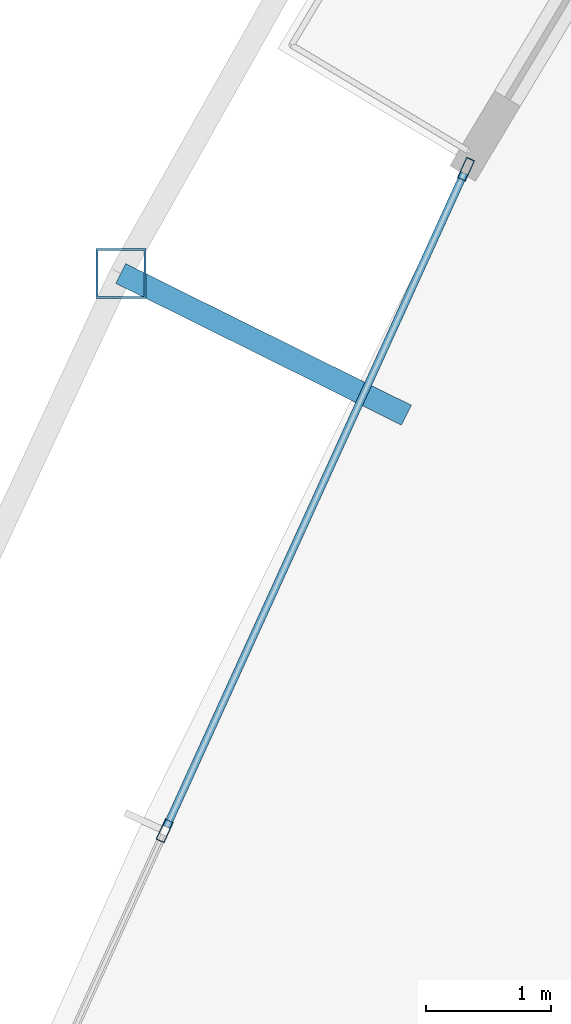
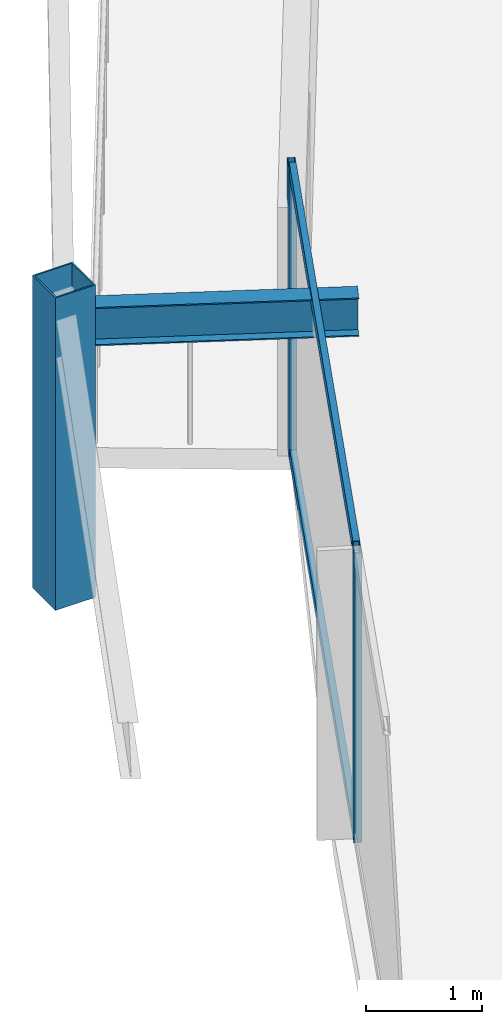
# One storey, part 9 of 31: 5 members, 1 beam, 1 element without a shape of its own.
"""IFC4 building model written with IfcOpenShell, lengths in metres."""

from ifc_helpers import new_model, si_unit, direction, frame, origin, origin_2d, place, context, subcontext, project, spatial, hollow_rectangle, i_section, extrude, material, layer, layer_set, material_profile, profile_set, type_object, element, aggregate, save


model = new_model("IFC4")

# Units and contexts
model_context = context("Model", 3, precision=1e-05, world=origin(), true_north=direction((0.0, 1.0)))
body_context = subcontext(model_context, "Body", "Model", "MODEL_VIEW")
ifc_project = project(units=[si_unit("LENGTHUNIT", "METRE"), si_unit("AREAUNIT", "SQUARE_METRE"), si_unit("VOLUMEUNIT", "CUBIC_METRE"), si_unit("PLANEANGLEUNIT", "RADIAN"), si_unit("MASSUNIT", "GRAM", prefix="KILO")], contexts=[model_context])

# Site, building, storey
site_placement = place(None, origin())
site = spatial("IfcSite", under=ifc_project, at=site_placement, CompositionType="ELEMENT")
building_placement = place(site_placement, origin())
building = spatial("IfcBuilding", under=site, at=building_placement, Name="Orvanel Arch Residences", CompositionType="ELEMENT")
storey_placement = place(building_placement, frame((0.0, 0.0, 106.699951171875)))
storey = spatial("IfcBuildingStorey", under=building, at=storey_placement, Name="L29", CompositionType="ELEMENT", Elevation=106.699951171875)

# Curtain wall, members
ifc_material_1 = material(Name="Bronze-anodised aluminium AA6063-T6", Category="aluminium")
ifc_layer = layer(ifc_material_1, 0.179931640625)
ifc_layer_set = layer_set([ifc_layer], Name="Bronze-anodised aluminium AA6063-T6")
curtain_wall_type = type_object("IfcCurtainWallType", Name="CW3-MID-SYS", PredefinedType="NOTDEFINED", material=ifc_layer_set)
curtain_wall_placement = place(storey_placement, origin())
curtain_wall = element("IfcCurtainWall", 1, at=curtain_wall_placement, inside=storey, type_object=curtain_wall_type, Name="L29 CW3-MID-SYS Unitised Curtain Wall", PredefinedType="NOTDEFINED")
ifc_material_profile_1 = material_profile(ifc_material_1, hollow_rectangle(XDim=0.070068359375, YDim=0.179931640625, WallThickness=0.00439453125, at=origin_2d()), Name="ALU180x70x4.5")
ifc_profile_set_1 = profile_set([ifc_material_profile_1], Name="Bronze-anodised aluminium AA6063-T6")
member_type_1 = type_object("IfcMemberType", Name="MUL-180x70", PredefinedType="MULLION", material=ifc_profile_set_1)
member_1_placement = place(storey_placement, frame((14.030517578125, 24.59521484375, 0.0), z_axis=(0.0, 0.0, 1.0), x_axis=(0.910112556864, -0.414361115258, 0.0)))
member_1 = element("IfcMember", 2, at=member_1_placement, type_object=member_type_1, Name="CW-S3 mullion 1", PredefinedType="MULLION", context=body_context, shape_type="SweptSolid", body=[
    extrude(hollow_rectangle(XDim=0.070068359375, YDim=0.179931640625, WallThickness=0.00439453125, at=origin_2d()), origin(), (0.0, 0.0, 1.0), 3.06005859375),
])
member_2_placement = place(storey_placement, frame((11.62158203125, 19.304443359375, 0.0), z_axis=(0.0, 0.0, 1.0), x_axis=(0.910112556864, -0.414361115258, 0.0)))
member_2 = element("IfcMember", 3, at=member_2_placement, type_object=member_type_1, Name="CW-S3 mullion 2", PredefinedType="MULLION", context=body_context, shape_type="SweptSolid", body=[
    extrude(hollow_rectangle(XDim=0.070068359375, YDim=0.179931640625, WallThickness=0.00439453125, at=origin_2d()), origin(), (0.0, 0.0, 1.0), 3.06005859375),
])

# Beam
ifc_material_2 = material(Name="Structural steel AS/NZS 3679.1 Grade 300 (300 MPa)", Category="steel")
ifc_material_profile_2 = material_profile(ifc_material_2, i_section(OverallWidth=0.177978515625, OverallDepth=0.406005859375, WebThickness=0.0078125, FlangeThickness=0.0126953125, at=origin_2d()), Name="410UB59.7")
ifc_profile_set_2 = profile_set([ifc_material_profile_2], Name="Structural steel AS/NZS 3679.1 Grade 300 (300 MPa)")
beam_type = type_object("IfcBeamType", Name="OB-410UB-EXT", PredefinedType="SPANDREL", material=ifc_profile_set_2)
beam_placement = place(storey_placement, frame((13.553955078125, 22.6279296875, 2.85693359375), z_axis=(-0.895820894643, 0.444415261575, 0.0), x_axis=(-0.444415261575, -0.895820894643, 0.0)))
element("IfcBeam", 4, at=beam_placement, inside=storey, type_object=beam_type, Name="L29 Outer Frame Radial Tie Beam 03", PredefinedType="SPANDREL", context=body_context, shape_type="SweptSolid", body=[
    extrude(i_section(OverallWidth=0.177978515625, OverallDepth=0.406005859375, WebThickness=0.0078125, FlangeThickness=0.0126953125, at=origin_2d()), origin(), (0.0, 0.0, 1.0), 2.549560546875),
])

# Member
ifc_material_3 = material(Name="Structural steel AS/NZS 1163 C450L0 (Grade 450)", Category="steel")
ifc_material_profile_3 = material_profile(ifc_material_3, hollow_rectangle(XDim=0.39990234375, YDim=0.39990234375, WallThickness=0.01611328125, at=origin_2d()), Name="SHS400x400x16")
ifc_profile_set_3 = profile_set([ifc_material_profile_3], Name="Structural steel AS/NZS 1163 C450L0 (Grade 450)")
member_type_2 = type_object("IfcMemberType", Name="ST-400SHS-EXT", PredefinedType="STRUT", material=ifc_profile_set_3)
member_3_placement = place(storey_placement, frame((11.27001953125, 23.760986328125, 0.0), z_axis=(0.0, 0.0, 1.0), x_axis=(1.0, 0.0, 0.0)))
element("IfcMember", 5, at=member_3_placement, inside=storey, type_object=member_type_2, Name="L29 Outer Perimeter Frame Post 03", PredefinedType="STRUT", context=body_context, shape_type="SweptSolid", body=[
    extrude(hollow_rectangle(XDim=0.39990234375, YDim=0.39990234375, WallThickness=0.01611328125, at=origin_2d()), origin(), (0.0, 0.0, 1.0), 3.300048828125),
])

ifc_material_profile_4 = material_profile(ifc_material_1, hollow_rectangle(XDim=0.06005859375, YDim=0.135009765625, WallThickness=0.00390625, at=origin_2d()), Name="ALU135x60x4")
ifc_profile_set_4 = profile_set([ifc_material_profile_4], Name="Bronze-anodised aluminium AA6063-T6")
member_type_3 = type_object("IfcMemberType", Name="TRN-135x60", PredefinedType="USERDEFINED", material=ifc_profile_set_4)
member_4_placement = place(storey_placement, frame((14.01611328125, 24.563232421875, 0.030029296875), z_axis=(-0.414372943031, -0.910107171757, 0.0), x_axis=(0.910107171757, -0.414372943031, 0.0)))
member_4 = element("IfcMember", 6, at=member_4_placement, type_object=member_type_3, Name="CW-S3 transom 1.1", ObjectType="TRANSOM", PredefinedType="USERDEFINED", context=body_context, shape_type="SweptSolid", body=[
    extrude(hollow_rectangle(XDim=0.06005859375, YDim=0.135009765625, WallThickness=0.00390625, at=origin_2d()), origin(), (0.0, 0.0, 1.0), 5.743408203125),
])

member_5_placement = place(storey_placement, frame((14.01611328125, 24.563232421875, 3.030029296875), z_axis=(-0.414372943031, -0.910107171757, 0.0), x_axis=(0.910107171757, -0.414372943031, 0.0)))
member_5 = element("IfcMember", 7, at=member_5_placement, type_object=member_type_3, Name="CW-S3 transom 1.2", ObjectType="TRANSOM", PredefinedType="USERDEFINED", context=body_context, shape_type="SweptSolid", body=[
    extrude(hollow_rectangle(XDim=0.06005859375, YDim=0.135009765625, WallThickness=0.00390625, at=origin_2d()), origin(), (0.0, 0.0, 1.0), 5.743408203125),
])

aggregate(curtain_wall, [member_1, member_2, member_4, member_5])

save(model, "model.ifc")
